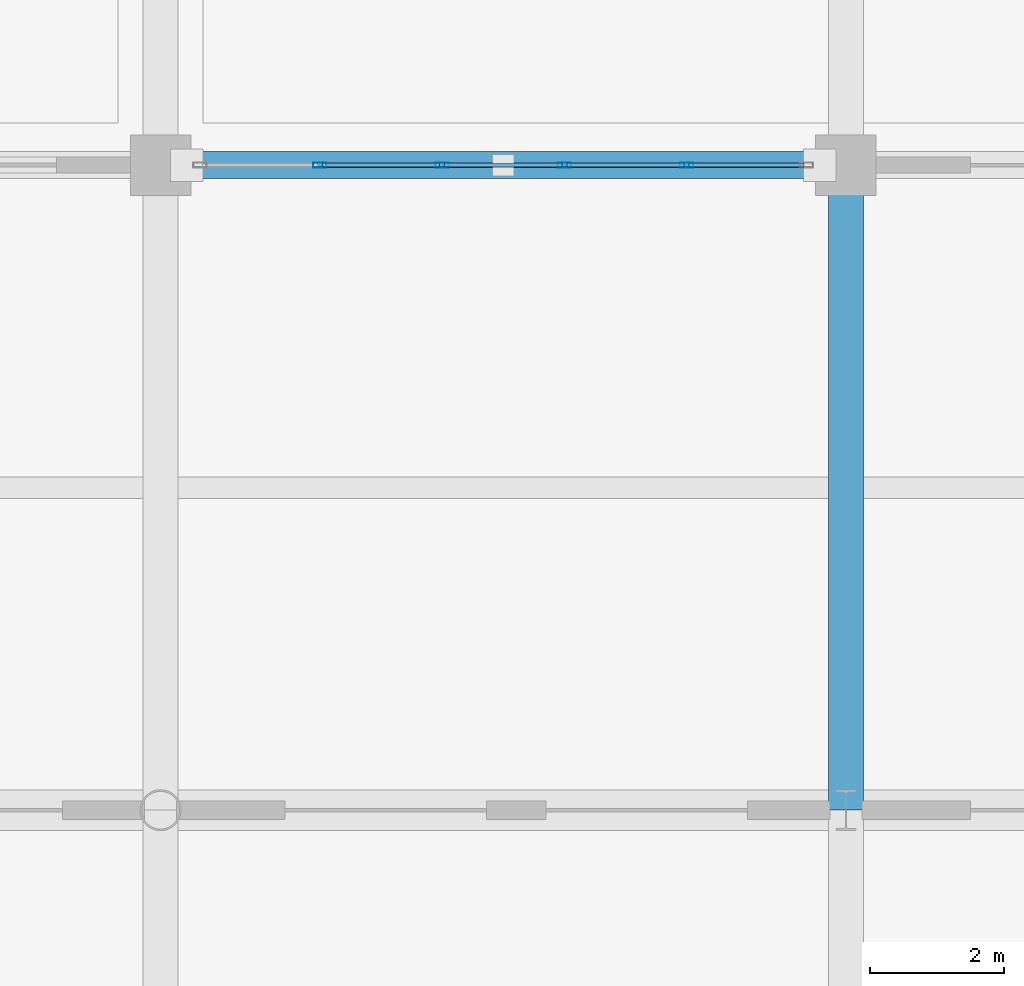
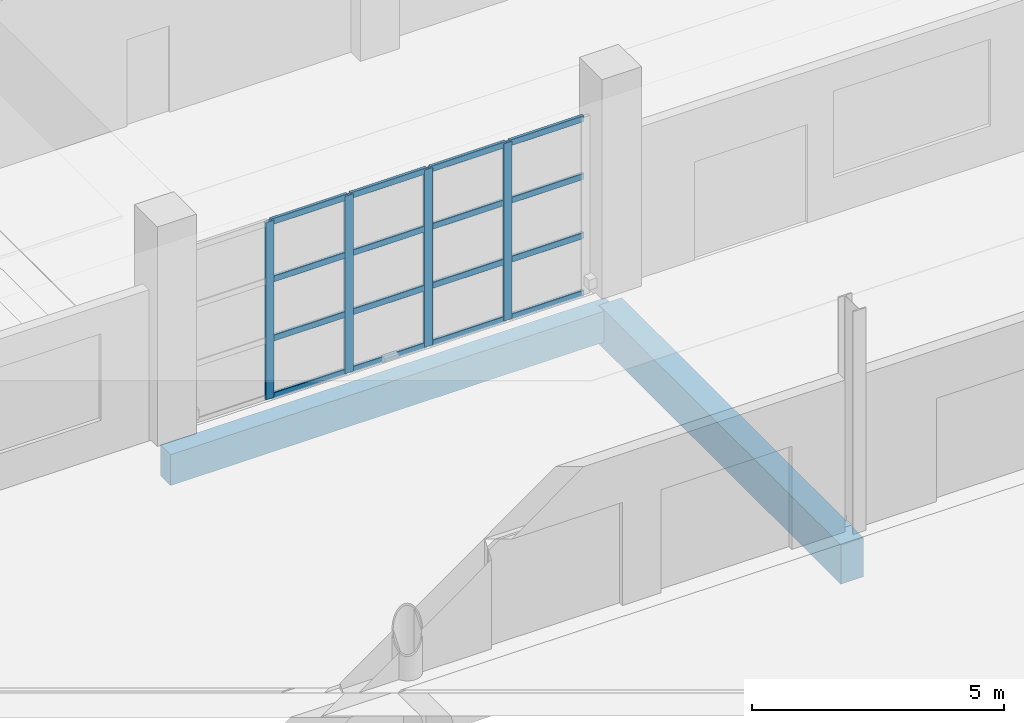
# One storey, part 45 of 124: 20 members, 2 beams, 1 element without a shape of its own.
"""IFC4 building model written with IfcOpenShell, lengths in metres."""

from ifc_helpers import new_model, si_unit, direction, frame, origin, origin_2d, place, context, subcontext, project, spatial, rectangle, hollow_rectangle, extrude, material, material_profile, profile_set, type_object, element, aggregate, save


model = new_model("IFC4")

# Units and contexts
model_context = context("Model", 3, precision=1e-05, world=origin(), true_north=direction((0.0, 1.0)))
body_context = subcontext(model_context, "Body", "Model", "MODEL_VIEW")
ifc_project = project(units=[si_unit("LENGTHUNIT", "METRE"), si_unit("AREAUNIT", "SQUARE_METRE"), si_unit("VOLUMEUNIT", "CUBIC_METRE"), si_unit("PLANEANGLEUNIT", "RADIAN"), si_unit("MASSUNIT", "GRAM", prefix="KILO")], contexts=[model_context])

# Site, building, storey
site_placement = place(None, origin())
site = spatial("IfcSite", under=ifc_project, at=site_placement, CompositionType="ELEMENT")
building_placement = place(site_placement, origin())
building = spatial("IfcBuilding", under=site, at=building_placement, Name="Brelvane Convention Centre", CompositionType="ELEMENT")
storey_placement = place(building_placement, origin())
storey = spatial("IfcBuildingStorey", under=building, at=storey_placement, Name="L00", CompositionType="ELEMENT", Elevation=0.0)

# Curtain wall, members
ifc_material_1 = material(Name="Anodised Aluminium Alloy 6063-T6", Category="aluminium")
curtain_wall_type = type_object("IfcCurtainWallType", Name="Curtain Wall CW-COURT", PredefinedType="USERDEFINED", material=ifc_material_1)
curtain_wall_placement = place(storey_placement, origin())
curtain_wall = element("IfcCurtainWall", 1, at=curtain_wall_placement, inside=storey, type_object=curtain_wall_type, Name="Curtain Wall CW-COURT L00-V4S-07", ObjectType="UNITISED", PredefinedType="USERDEFINED")
ifc_material_2 = material(Name="Anodised Aluminium Alloy 6063-T6", Category="aluminium")
ifc_material_profile_1 = material_profile(ifc_material_2, hollow_rectangle(XDim=0.074951171875, YDim=0.199951171875, WallThickness=0.0048828125, InnerFilletRadius=0.0048828125, OuterFilletRadius=0.010009765625, at=origin_2d()), Name="ALU-M 200x75x5.0")
ifc_profile_set_1 = profile_set([ifc_material_profile_1], Name="Anodised Aluminium Alloy 6063-T6")
member_type_1 = type_object("IfcMemberType", Name="Curtain Mullion CW-M2", PredefinedType="MULLION", material=ifc_profile_set_1)
member_1_placement = place(storey_placement, frame((63.570068359375, 109.199951171875, 0.0), z_axis=(0.0, 0.0, 1.0), x_axis=(0.0, 1.0, 0.0)))
member_1 = element("IfcMember", 2, at=member_1_placement, type_object=member_type_1, Name="CW-COURT mullion 2", PredefinedType="MULLION", context=body_context, shape_type="SweptSolid", body=[
    extrude(hollow_rectangle(XDim=0.074951171875, YDim=0.199951171875, WallThickness=0.0048828125, InnerFilletRadius=0.0048828125, OuterFilletRadius=0.010009765625, at=origin_2d()), origin(), (0.0, 0.0, 1.0), 4.300048828125),
])
member_2_placement = place(storey_placement, frame((65.389892578125, 109.199951171875, 0.0), z_axis=(0.0, 0.0, 1.0), x_axis=(0.0, 1.0, 0.0)))
member_2 = element("IfcMember", 3, at=member_2_placement, type_object=member_type_1, Name="CW-COURT mullion 3", PredefinedType="MULLION", context=body_context, shape_type="SweptSolid", body=[
    extrude(hollow_rectangle(XDim=0.074951171875, YDim=0.199951171875, WallThickness=0.0048828125, InnerFilletRadius=0.0048828125, OuterFilletRadius=0.010009765625, at=origin_2d()), origin(), (0.0, 0.0, 1.0), 4.300048828125),
])
member_3_placement = place(storey_placement, frame((67.2099609375, 109.199951171875, 0.0), z_axis=(0.0, 0.0, 1.0), x_axis=(0.0, 1.0, 0.0)))
member_3 = element("IfcMember", 4, at=member_3_placement, type_object=member_type_1, Name="CW-COURT mullion 4", PredefinedType="MULLION", context=body_context, shape_type="SweptSolid", body=[
    extrude(hollow_rectangle(XDim=0.074951171875, YDim=0.199951171875, WallThickness=0.0048828125, InnerFilletRadius=0.0048828125, OuterFilletRadius=0.010009765625, at=origin_2d()), origin(), (0.0, 0.0, 1.0), 4.300048828125),
])
member_4_placement = place(storey_placement, frame((69.030029296875, 109.199951171875, 0.0), z_axis=(0.0, 0.0, 1.0), x_axis=(0.0, 1.0, 0.0)))
member_4 = element("IfcMember", 5, at=member_4_placement, type_object=member_type_1, Name="CW-COURT mullion 5", PredefinedType="MULLION", context=body_context, shape_type="SweptSolid", body=[
    extrude(hollow_rectangle(XDim=0.074951171875, YDim=0.199951171875, WallThickness=0.0048828125, InnerFilletRadius=0.0048828125, OuterFilletRadius=0.010009765625, at=origin_2d()), origin(), (0.0, 0.0, 1.0), 4.300048828125),
])
ifc_material_3 = material(Name="Anodised Aluminium Alloy 6063-T6", Category="aluminium")
ifc_material_profile_2 = material_profile(ifc_material_3, hollow_rectangle(XDim=0.070068359375, YDim=0.14990234375, WallThickness=0.00439453125, InnerFilletRadius=0.00439453125, OuterFilletRadius=0.009033203125, at=origin_2d()), Name="ALU-T 150x70x4.5")
ifc_profile_set_2 = profile_set([ifc_material_profile_2], Name="Anodised Aluminium Alloy 6063-T6")
member_type_2 = type_object("IfcMemberType", Name="Curtain Transom CW-T2", PredefinedType="USERDEFINED", material=ifc_profile_set_2)
member_5_placement = place(storey_placement, frame((63.607421875, 109.199951171875, 0.034912109375), z_axis=(1.0, 0.0, 0.0), x_axis=(0.0, 1.0, 0.0)))
member_5 = element("IfcMember", 6, at=member_5_placement, type_object=member_type_2, Name="CW-COURT transom 2.1", ObjectType="TRANSOM", PredefinedType="USERDEFINED", context=body_context, shape_type="SweptSolid", body=[
    extrude(hollow_rectangle(XDim=0.070068359375, YDim=0.14990234375, WallThickness=0.00439453125, InnerFilletRadius=0.00439453125, OuterFilletRadius=0.009033203125, at=origin_2d()), origin(), (0.0, 0.0, 1.0), 1.7451171875),
])
member_6_placement = place(storey_placement, frame((63.607421875, 109.199951171875, 1.433349609375), z_axis=(1.0, 0.0, 0.0), x_axis=(0.0, 1.0, 0.0)))
member_6 = element("IfcMember", 7, at=member_6_placement, type_object=member_type_2, Name="CW-COURT transom 2.2", ObjectType="TRANSOM", PredefinedType="USERDEFINED", context=body_context, shape_type="SweptSolid", body=[
    extrude(hollow_rectangle(XDim=0.070068359375, YDim=0.14990234375, WallThickness=0.00439453125, InnerFilletRadius=0.00439453125, OuterFilletRadius=0.009033203125, at=origin_2d()), origin(), (0.0, 0.0, 1.0), 1.7451171875),
])
member_7_placement = place(storey_placement, frame((63.607421875, 109.199951171875, 2.86669921875), z_axis=(1.0, 0.0, 0.0), x_axis=(0.0, 1.0, 0.0)))
member_7 = element("IfcMember", 8, at=member_7_placement, type_object=member_type_2, Name="CW-COURT transom 2.3", ObjectType="TRANSOM", PredefinedType="USERDEFINED", context=body_context, shape_type="SweptSolid", body=[
    extrude(hollow_rectangle(XDim=0.070068359375, YDim=0.14990234375, WallThickness=0.00439453125, InnerFilletRadius=0.00439453125, OuterFilletRadius=0.009033203125, at=origin_2d()), origin(), (0.0, 0.0, 1.0), 1.7451171875),
])
member_8_placement = place(storey_placement, frame((63.607421875, 109.199951171875, 4.264892578125), z_axis=(1.0, 0.0, 0.0), x_axis=(0.0, 1.0, 0.0)))
member_8 = element("IfcMember", 9, at=member_8_placement, type_object=member_type_2, Name="CW-COURT transom 2.4", ObjectType="TRANSOM", PredefinedType="USERDEFINED", context=body_context, shape_type="SweptSolid", body=[
    extrude(hollow_rectangle(XDim=0.070068359375, YDim=0.14990234375, WallThickness=0.00439453125, InnerFilletRadius=0.00439453125, OuterFilletRadius=0.009033203125, at=origin_2d()), origin(), (0.0, 0.0, 1.0), 1.7451171875),
])
member_9_placement = place(storey_placement, frame((65.427490234375, 109.199951171875, 0.034912109375), z_axis=(1.0, 0.0, 0.0), x_axis=(0.0, 1.0, 0.0)))
member_9 = element("IfcMember", 10, at=member_9_placement, type_object=member_type_2, Name="CW-COURT transom 3.1", ObjectType="TRANSOM", PredefinedType="USERDEFINED", context=body_context, shape_type="SweptSolid", body=[
    extrude(hollow_rectangle(XDim=0.070068359375, YDim=0.14990234375, WallThickness=0.00439453125, InnerFilletRadius=0.00439453125, OuterFilletRadius=0.009033203125, at=origin_2d()), origin(), (0.0, 0.0, 1.0), 1.7451171875),
])
member_10_placement = place(storey_placement, frame((65.427490234375, 109.199951171875, 1.433349609375), z_axis=(1.0, 0.0, 0.0), x_axis=(0.0, 1.0, 0.0)))
member_10 = element("IfcMember", 11, at=member_10_placement, type_object=member_type_2, Name="CW-COURT transom 3.2", ObjectType="TRANSOM", PredefinedType="USERDEFINED", context=body_context, shape_type="SweptSolid", body=[
    extrude(hollow_rectangle(XDim=0.070068359375, YDim=0.14990234375, WallThickness=0.00439453125, InnerFilletRadius=0.00439453125, OuterFilletRadius=0.009033203125, at=origin_2d()), origin(), (0.0, 0.0, 1.0), 1.7451171875),
])
member_11_placement = place(storey_placement, frame((65.427490234375, 109.199951171875, 2.86669921875), z_axis=(1.0, 0.0, 0.0), x_axis=(0.0, 1.0, 0.0)))
member_11 = element("IfcMember", 12, at=member_11_placement, type_object=member_type_2, Name="CW-COURT transom 3.3", ObjectType="TRANSOM", PredefinedType="USERDEFINED", context=body_context, shape_type="SweptSolid", body=[
    extrude(hollow_rectangle(XDim=0.070068359375, YDim=0.14990234375, WallThickness=0.00439453125, InnerFilletRadius=0.00439453125, OuterFilletRadius=0.009033203125, at=origin_2d()), origin(), (0.0, 0.0, 1.0), 1.7451171875),
])
member_12_placement = place(storey_placement, frame((65.427490234375, 109.199951171875, 4.264892578125), z_axis=(1.0, 0.0, 0.0), x_axis=(0.0, 1.0, 0.0)))
member_12 = element("IfcMember", 13, at=member_12_placement, type_object=member_type_2, Name="CW-COURT transom 3.4", ObjectType="TRANSOM", PredefinedType="USERDEFINED", context=body_context, shape_type="SweptSolid", body=[
    extrude(hollow_rectangle(XDim=0.070068359375, YDim=0.14990234375, WallThickness=0.00439453125, InnerFilletRadius=0.00439453125, OuterFilletRadius=0.009033203125, at=origin_2d()), origin(), (0.0, 0.0, 1.0), 1.7451171875),
])
member_13_placement = place(storey_placement, frame((67.24755859375, 109.199951171875, 0.034912109375), z_axis=(1.0, 0.0, 0.0), x_axis=(0.0, 1.0, 0.0)))
member_13 = element("IfcMember", 14, at=member_13_placement, type_object=member_type_2, Name="CW-COURT transom 4.1", ObjectType="TRANSOM", PredefinedType="USERDEFINED", context=body_context, shape_type="SweptSolid", body=[
    extrude(hollow_rectangle(XDim=0.070068359375, YDim=0.14990234375, WallThickness=0.00439453125, InnerFilletRadius=0.00439453125, OuterFilletRadius=0.009033203125, at=origin_2d()), origin(), (0.0, 0.0, 1.0), 1.744873046875),
])
member_14_placement = place(storey_placement, frame((67.24755859375, 109.199951171875, 1.433349609375), z_axis=(1.0, 0.0, 0.0), x_axis=(0.0, 1.0, 0.0)))
member_14 = element("IfcMember", 15, at=member_14_placement, type_object=member_type_2, Name="CW-COURT transom 4.2", ObjectType="TRANSOM", PredefinedType="USERDEFINED", context=body_context, shape_type="SweptSolid", body=[
    extrude(hollow_rectangle(XDim=0.070068359375, YDim=0.14990234375, WallThickness=0.00439453125, InnerFilletRadius=0.00439453125, OuterFilletRadius=0.009033203125, at=origin_2d()), origin(), (0.0, 0.0, 1.0), 1.744873046875),
])
member_15_placement = place(storey_placement, frame((67.24755859375, 109.199951171875, 2.86669921875), z_axis=(1.0, 0.0, 0.0), x_axis=(0.0, 1.0, 0.0)))
member_15 = element("IfcMember", 16, at=member_15_placement, type_object=member_type_2, Name="CW-COURT transom 4.3", ObjectType="TRANSOM", PredefinedType="USERDEFINED", context=body_context, shape_type="SweptSolid", body=[
    extrude(hollow_rectangle(XDim=0.070068359375, YDim=0.14990234375, WallThickness=0.00439453125, InnerFilletRadius=0.00439453125, OuterFilletRadius=0.009033203125, at=origin_2d()), origin(), (0.0, 0.0, 1.0), 1.744873046875),
])
member_16_placement = place(storey_placement, frame((67.24755859375, 109.199951171875, 4.264892578125), z_axis=(1.0, 0.0, 0.0), x_axis=(0.0, 1.0, 0.0)))
member_16 = element("IfcMember", 17, at=member_16_placement, type_object=member_type_2, Name="CW-COURT transom 4.4", ObjectType="TRANSOM", PredefinedType="USERDEFINED", context=body_context, shape_type="SweptSolid", body=[
    extrude(hollow_rectangle(XDim=0.070068359375, YDim=0.14990234375, WallThickness=0.00439453125, InnerFilletRadius=0.00439453125, OuterFilletRadius=0.009033203125, at=origin_2d()), origin(), (0.0, 0.0, 1.0), 1.744873046875),
])
member_17_placement = place(storey_placement, frame((69.0673828125, 109.199951171875, 0.034912109375), z_axis=(1.0, 0.0, 0.0), x_axis=(0.0, 1.0, 0.0)))
member_17 = element("IfcMember", 18, at=member_17_placement, type_object=member_type_2, Name="CW-COURT transom 5.1", ObjectType="TRANSOM", PredefinedType="USERDEFINED", context=body_context, shape_type="SweptSolid", body=[
    extrude(hollow_rectangle(XDim=0.070068359375, YDim=0.14990234375, WallThickness=0.00439453125, InnerFilletRadius=0.00439453125, OuterFilletRadius=0.009033203125, at=origin_2d()), origin(), (0.0, 0.0, 1.0), 1.70751953125),
])
member_18_placement = place(storey_placement, frame((69.0673828125, 109.199951171875, 1.433349609375), z_axis=(1.0, 0.0, 0.0), x_axis=(0.0, 1.0, 0.0)))
member_18 = element("IfcMember", 19, at=member_18_placement, type_object=member_type_2, Name="CW-COURT transom 5.2", ObjectType="TRANSOM", PredefinedType="USERDEFINED", context=body_context, shape_type="SweptSolid", body=[
    extrude(hollow_rectangle(XDim=0.070068359375, YDim=0.14990234375, WallThickness=0.00439453125, InnerFilletRadius=0.00439453125, OuterFilletRadius=0.009033203125, at=origin_2d()), origin(), (0.0, 0.0, 1.0), 1.70751953125),
])
member_19_placement = place(storey_placement, frame((69.0673828125, 109.199951171875, 2.86669921875), z_axis=(1.0, 0.0, 0.0), x_axis=(0.0, 1.0, 0.0)))
member_19 = element("IfcMember", 20, at=member_19_placement, type_object=member_type_2, Name="CW-COURT transom 5.3", ObjectType="TRANSOM", PredefinedType="USERDEFINED", context=body_context, shape_type="SweptSolid", body=[
    extrude(hollow_rectangle(XDim=0.070068359375, YDim=0.14990234375, WallThickness=0.00439453125, InnerFilletRadius=0.00439453125, OuterFilletRadius=0.009033203125, at=origin_2d()), origin(), (0.0, 0.0, 1.0), 1.70751953125),
])
member_20_placement = place(storey_placement, frame((69.0673828125, 109.199951171875, 4.264892578125), z_axis=(1.0, 0.0, 0.0), x_axis=(0.0, 1.0, 0.0)))
member_20 = element("IfcMember", 21, at=member_20_placement, type_object=member_type_2, Name="CW-COURT transom 5.4", ObjectType="TRANSOM", PredefinedType="USERDEFINED", context=body_context, shape_type="SweptSolid", body=[
    extrude(hollow_rectangle(XDim=0.070068359375, YDim=0.14990234375, WallThickness=0.00439453125, InnerFilletRadius=0.00439453125, OuterFilletRadius=0.009033203125, at=origin_2d()), origin(), (0.0, 0.0, 1.0), 1.70751953125),
])
aggregate(curtain_wall, [member_1, member_2, member_3, member_4, member_5, member_6, member_7, member_8, member_9, member_10, member_11, member_12, member_13, member_14, member_15, member_16, member_17, member_18, member_19, member_20])

# Beams
ifc_material_4 = material(Name="Concrete M50", Category="concrete")
ifc_material_profile_3 = material_profile(ifc_material_4, rectangle(XDim=0.52001953125, YDim=0.949951171875, at=origin_2d()), Name="RC 520x950")
ifc_profile_set_3 = profile_set([ifc_material_profile_3], Name="Concrete M50")
beam_type_1 = type_object("IfcBeamType", Name="RC Beam B-RC9 (RC 520x950)", PredefinedType="BEAM", material=ifc_profile_set_3)
beam_1_placement = place(storey_placement, frame((71.39990234375, 99.60009765625, -0.875), z_axis=(0.0, 1.0, 0.0), x_axis=(-1.0, 0.0, 0.0)))
element("IfcBeam", 22, at=beam_1_placement, inside=storey, type_object=beam_type_1, Name="L00 Girder 8/K-L", PredefinedType="BEAM", context=body_context, shape_type="SweptSolid", body=[
    extrude(rectangle(XDim=0.52001953125, YDim=0.949951171875, at=origin_2d()), origin(), (0.0, 0.0, 1.0), 9.599853515625),
])
ifc_material_5 = material(Name="Concrete M40", Category="concrete")
ifc_material_profile_4 = material_profile(ifc_material_5, rectangle(XDim=0.39990234375, YDim=0.75, at=origin_2d()), Name="RC 400x750")
ifc_profile_set_4 = profile_set([ifc_material_profile_4], Name="Concrete M40")
beam_type_2 = type_object("IfcBeamType", Name="RC Spandrel SP-RC1 (RC 400x750)", PredefinedType="SPANDREL", material=ifc_profile_set_4)
beam_2_placement = place(storey_placement, frame((61.199951171875, 109.199951171875, -0.804931640625), z_axis=(1.0, 0.0, 0.0), x_axis=(0.0, 1.0, 0.0)))
element("IfcBeam", 23, at=beam_2_placement, inside=storey, type_object=beam_type_2, Name="L00 Beam 7-8/L", PredefinedType="SPANDREL", context=body_context, shape_type="SweptSolid", body=[
    extrude(rectangle(XDim=0.39990234375, YDim=0.75, at=origin_2d()), origin(), (0.0, 0.0, 1.0), 10.199951171875),
])

save(model, "model.ifc")
